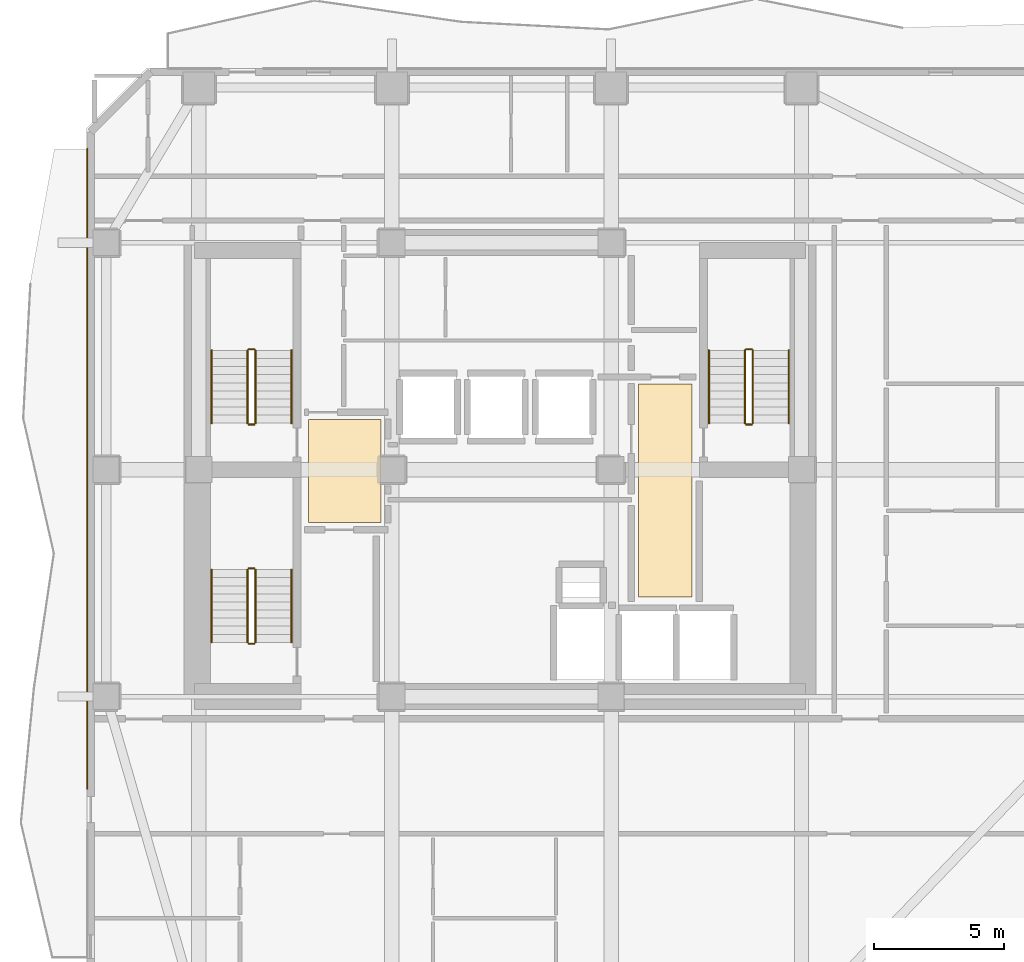
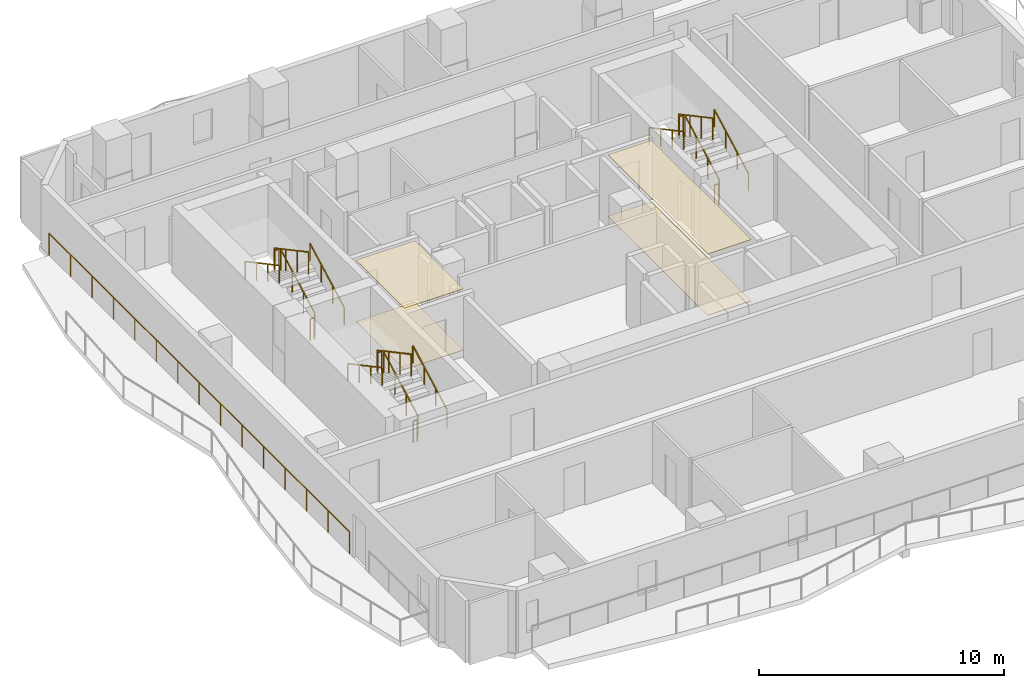
# One storey, part 8 of 9: 19 railings, 4 coverings.
"""IFC4 building model written with IfcOpenShell, lengths in metres."""

import ifcopenshell
import ifcopenshell.guid

model = None  # the IFC model being written
_history = None  # IfcOwnerHistory: only IFC2X3 demands one
_inside = {}  # id of a spatial element -> (the spatial element, [elements in it])
_under = {}  # id of a project, library or spatial element -> (it, [spatial elements below it])
_declared = {}  # id of a project -> (the project, [libraries it declares])
_typed = {}  # id of a type object -> (the type object, [elements of that type])
_made_of = {}  # id of a material, layer set ... -> (it, [elements and type objects made of it])


def new_model(schema):
    """Start an empty IFC model of exactly this schema.

    Asked for "IFC4X3", IfcOpenShell would pick the latest addendum, in which some entities
    have other attributes; the version numbers below select the first issue.
    IFC2X3 requires an IfcOwnerHistory on every rooted entity: one is made here for all.
    """
    global model, _history
    if schema == "IFC4X3":
        model = ifcopenshell.file(schema_version=(4, 3, 0, 0))
    else:
        model = ifcopenshell.file(schema=schema)
    _inside.clear()
    _under.clear()
    _declared.clear()
    _typed.clear()
    _made_of.clear()
    _history = None
    if model.schema == "IFC2X3":
        org = make("IfcOrganization", Name="unknown")
        user = make(
            "IfcPersonAndOrganization",
            ThePerson=make("IfcPerson", FamilyName="unknown"),
            TheOrganization=org,
        )
        app = make(
            "IfcApplication",
            ApplicationDeveloper=org,
            Version="unknown",
            ApplicationFullName="unknown",
            ApplicationIdentifier="unknown",
        )
        _history = make(
            "IfcOwnerHistory",
            OwningUser=user,
            OwningApplication=app,
            ChangeAction="ADDED",
            CreationDate=0,
        )
    return model


def make(cls, **values):
    """One entity of the class cls with the attributes given. An attribute that is None is left unset."""
    return model.create_entity(
        cls, **{name: value for name, value in values.items() if value is not None}
    )


def rooted(cls, **values):
    """An entity with a GlobalId (a new one), such as an element, a storey or a relation."""
    return make(cls, GlobalId=ifcopenshell.guid.new(), OwnerHistory=_history, **values)


def si_unit(unit_type, name, prefix=None):
    """IfcSIUnit, for example si_unit("LENGTHUNIT", "METRE", prefix="MILLI")."""
    return make("IfcSIUnit", UnitType=unit_type, Prefix=prefix, Name=name)


def assignment(units):
    """IfcUnitAssignment: the units of a project."""
    return None if units is None else make("IfcUnitAssignment", Units=units)


def point(xyz):
    """IfcCartesianPoint."""
    return None if xyz is None else make("IfcCartesianPoint", Coordinates=xyz)


def direction(xyz):
    """IfcDirection."""
    return None if xyz is None else make("IfcDirection", DirectionRatios=xyz)


def frame(location, z_axis=None, x_axis=None):
    """IfcAxis2Placement3D, a coordinate frame: its origin and axes. An axis left out is left unset."""
    return make(
        "IfcAxis2Placement3D",
        Location=point(location),
        Axis=direction(z_axis),
        RefDirection=direction(x_axis),
    )


def frame_2d(location, x_axis=None):
    """IfcAxis2Placement2D, a coordinate frame in the plane: its origin and x axis."""
    return make(
        "IfcAxis2Placement2D", Location=point(location), RefDirection=direction(x_axis)
    )


def origin():
    """The frame at (0, 0, 0) with its axes left unset."""
    return frame((0.0, 0.0, 0.0))


def origin_2d():
    """The frame at (0, 0) in the plane with its x axis left unset."""
    return frame_2d((0.0, 0.0))


def place(relative_to, where):
    """IfcLocalPlacement: puts the frame where relative to a parent placement (None: the world)."""
    return make(
        "IfcLocalPlacement", PlacementRelTo=relative_to, RelativePlacement=where
    )


def context(
    kind, dimensions, precision=None, world=None, true_north=None, identifier=None
):
    """IfcGeometricRepresentationContext, for example the 3D "Model" context."""
    return make(
        "IfcGeometricRepresentationContext",
        ContextIdentifier=identifier,
        ContextType=kind,
        CoordinateSpaceDimension=dimensions,
        Precision=precision,
        WorldCoordinateSystem=world,
        TrueNorth=true_north,
    )


def subcontext(parent, identifier, kind, view, scale=None):
    """IfcGeometricRepresentationSubContext, for example "Body" below "Model"."""
    return make(
        "IfcGeometricRepresentationSubContext",
        ContextIdentifier=identifier,
        ContextType=kind,
        ParentContext=parent,
        TargetScale=scale,
        TargetView=view,
    )


def project(units=None, contexts=None):
    """IfcProject with its units and contexts."""
    return rooted(
        "IfcProject",
        Name="project",
        RepresentationContexts=contexts,
        UnitsInContext=assignment(units),
    )


def spatial(cls, under=None, at=None, **own):
    """A site, building, storey or space (cls), placed at a placement, below another one or the project."""
    s = rooted(cls, ObjectPlacement=at, **own)
    if under is not None:
        _under.setdefault(under.id(), (under, []))[1].append(s)
    return s


def polyline(points):
    """IfcPolyline through the points."""
    return make("IfcPolyline", Points=[point(p) for p in points])


def profile(cls, at=None, kind="AREA", **sizes):
    """A parametric profile (cls). Its sizes go by their IFC names, for example OverallWidth=200.0."""
    return make(cls, ProfileType=kind, Position=at, **sizes)


def rectangle(**sizes):
    """IfcRectangleProfileDef."""
    return profile("IfcRectangleProfileDef", **sizes)


def outline(outer, holes=None, kind="AREA"):
    """IfcArbitraryClosedProfileDef: a profile drawn as a closed curve; with holes, ...WithVoids."""
    if holes is None:
        return make("IfcArbitraryClosedProfileDef", ProfileType=kind, OuterCurve=outer)
    return make(
        "IfcArbitraryProfileDefWithVoids",
        ProfileType=kind,
        OuterCurve=outer,
        InnerCurves=holes,
    )


def extrude(swept, where, along, depth):
    """IfcExtrudedAreaSolid: the profile swept, set in the frame where, extruded along a direction by depth."""
    return make(
        "IfcExtrudedAreaSolid",
        SweptArea=swept,
        Position=where,
        ExtrudedDirection=direction(along),
        Depth=depth,
    )


def shape(context_of_items, identifier, shape_type, items):
    """IfcShapeRepresentation: the items that make up one representation, for example the "Body"."""
    return make(
        "IfcShapeRepresentation",
        ContextOfItems=context_of_items,
        RepresentationIdentifier=identifier,
        RepresentationType=shape_type,
        Items=items,
    )


def material(Name=None, Category=None):
    """IfcMaterial."""
    return make("IfcMaterial", Name=Name, Category=Category)


def layer(
    of_material, thickness, ventilated=None, Name=None, Category=None, Priority=None
):
    """IfcMaterialLayer: one layer of a wall or slab, of a material (None: an air gap)."""
    return make(
        "IfcMaterialLayer",
        Material=of_material,
        LayerThickness=thickness,
        IsVentilated=ventilated,
        Name=Name,
        Category=Category,
        Priority=Priority,
    )


def layer_set(layers, Name=None):
    """IfcMaterialLayerSet."""
    return make("IfcMaterialLayerSet", MaterialLayers=layers, LayerSetName=Name)


def made_of(thing, what):
    """Note that an element or type object is made of a material, layer set ...; save() writes the relation."""
    if what is not None:
        _made_of.setdefault(what.id(), (what, []))[1].append(thing)
    return thing


def type_object(cls, material=None, **own):
    """A type object (cls), such as IfcWallType, which elements share."""
    return made_of(rooted(cls, **own), material)


def element(
    cls,
    number,
    at=None,
    inside=None,
    cuts=None,
    type_object=None,
    material=None,
    context=None,
    identifier="Body",
    shape_type=None,
    held_by="IfcProductDefinitionShape",
    body=None,
    shapes=None,
    **own,
):
    """One element of the class cls, such as IfcWall. Its Tag is "e" and its number.

    at: its placement. inside: the storey or other place that contains it. cuts: it is an
    opening in that element (IfcRelVoidsElement). A single representation is given by context,
    identifier, shape_type and body (its items); several are given by shapes. held_by: the class
    of the entity that holds the representations. save() writes the other relations.
    """
    e = rooted(cls, Tag="e%d" % number, ObjectPlacement=at, **own)
    if body is not None:
        shapes = [shape(context, identifier, shape_type, body)]
    if shapes is not None:
        e.Representation = make(held_by, Representations=shapes)
    if inside is not None:
        _inside.setdefault(inside.id(), (inside, []))[1].append(e)
    if cuts is not None:
        rooted(
            "IfcRelVoidsElement", RelatingBuildingElement=cuts, RelatedOpeningElement=e
        )
    if type_object is not None:
        _typed.setdefault(type_object.id(), (type_object, []))[1].append(e)
    return made_of(e, material)


def aggregate(whole, parts):
    """IfcRelAggregates: a whole, such as a stair, and the parts it consists of."""
    return rooted("IfcRelAggregates", RelatingObject=whole, RelatedObjects=parts)


def save(model, path):
    """Write the relations noted so far, then the file.

    IfcRelAggregates (storeys below a building ...), IfcRelContainedInSpatialStructure (elements
    in a storey), IfcRelDefinesByType, IfcRelAssociatesMaterial and IfcRelDeclares: one each for
    every whole, place, type object, material and project.
    """
    for whole, parts in _under.values():
        aggregate(whole, parts)
    for where, things in _inside.values():
        rooted(
            "IfcRelContainedInSpatialStructure",
            RelatedElements=things,
            RelatingStructure=where,
        )
    for kind, things in _typed.values():
        rooted("IfcRelDefinesByType", RelatedObjects=things, RelatingType=kind)
    for what, things in _made_of.values():
        rooted("IfcRelAssociatesMaterial", RelatedObjects=things, RelatingMaterial=what)
    for by, libraries in _declared.values():
        rooted("IfcRelDeclares", RelatingContext=by, RelatedDefinitions=libraries)
    model.write(path)


model = new_model("IFC4")

# Units and contexts
model_context = context("Model", 3, precision=1e-05, world=origin(), true_north=direction((0.0, 1.0)))
body_context = subcontext(model_context, "Body", "Model", "MODEL_VIEW")
ifc_project = project(units=[si_unit("LENGTHUNIT", "METRE"), si_unit("AREAUNIT", "SQUARE_METRE"), si_unit("VOLUMEUNIT", "CUBIC_METRE"), si_unit("PLANEANGLEUNIT", "RADIAN"), si_unit("MASSUNIT", "GRAM", prefix="KILO")], contexts=[model_context])

# Site, building, storey
site_placement = place(None, origin())
site = spatial("IfcSite", under=ifc_project, at=site_placement, CompositionType="ELEMENT")
building_placement = place(site_placement, origin())
building = spatial("IfcBuilding", under=site, at=building_placement, Name="Solanera Arch Residences", CompositionType="ELEMENT")
storey_placement = place(building_placement, frame((0.0, 0.0, 139.280029296875)))
storey = spatial("IfcBuildingStorey", under=building, at=storey_placement, Name="L40", CompositionType="ELEMENT", Elevation=139.280029296875)

# Railing
ifc_material_1 = material(Name="Steel S355 (ASTM A992 / A572 Grade 50)", Category="steel")
railing_type_1 = type_object("IfcRailingType", Name="Balustrade Railing BL-1100", PredefinedType="BALUSTRADE", material=ifc_material_1)
railing_1_placement = place(storey_placement, frame((9.1201171875, 18.472900390625, 0.0)))
element("IfcRailing", 1, at=railing_1_placement, inside=storey, type_object=railing_type_1, Name="L40 W Balcony Balustrade 2", PredefinedType="BALUSTRADE", context=body_context, shape_type="SweptSolid", body=[
    extrude(rectangle(XDim=0.048095703125, YDim=0.048095703125, at=origin_2d()), frame((0.0, 0.0, 1.09619140625), z_axis=(0.0, 1.0, 0.0), x_axis=(-1.0, 0.0, 0.0)), (0.0, 0.0, 1.0), 24.527099609375),
    extrude(rectangle(XDim=0.0419921875, YDim=0.0419921875, at=origin_2d()), origin(), (0.0, 0.0, 1.0), 1.072021484375),
    extrude(rectangle(XDim=0.0419921875, YDim=0.0419921875, at=origin_2d()), frame((0.0, 1.751953125, 0.0)), (0.0, 0.0, 1.0), 1.072021484375),
    extrude(rectangle(XDim=0.0419921875, YDim=0.0419921875, at=origin_2d()), frame((0.0, 3.50390625, 0.0)), (0.0, 0.0, 1.0), 1.072021484375),
    extrude(rectangle(XDim=0.0419921875, YDim=0.0419921875, at=origin_2d()), frame((0.0, 5.255859375, 0.0)), (0.0, 0.0, 1.0), 1.072021484375),
    extrude(rectangle(XDim=0.0419921875, YDim=0.0419921875, at=origin_2d()), frame((0.0, 7.0078125, 0.0)), (0.0, 0.0, 1.0), 1.072021484375),
    extrude(rectangle(XDim=0.0419921875, YDim=0.0419921875, at=origin_2d()), frame((0.0, 8.759765625, 0.0)), (0.0, 0.0, 1.0), 1.072021484375),
    extrude(rectangle(XDim=0.0419921875, YDim=0.0419921875, at=origin_2d()), frame((0.0, 10.51171875, 0.0)), (0.0, 0.0, 1.0), 1.072021484375),
    extrude(rectangle(XDim=0.0419921875, YDim=0.0419921875, at=origin_2d()), frame((0.0, 12.263671875, 0.0)), (0.0, 0.0, 1.0), 1.072021484375),
    extrude(rectangle(XDim=0.0419921875, YDim=0.0419921875, at=origin_2d()), frame((0.0, 14.015380859375, 0.0)), (0.0, 0.0, 1.0), 1.072021484375),
    extrude(rectangle(XDim=0.0419921875, YDim=0.0419921875, at=origin_2d()), frame((0.0, 15.767333984375, 0.0)), (0.0, 0.0, 1.0), 1.072021484375),
    extrude(rectangle(XDim=0.0419921875, YDim=0.0419921875, at=origin_2d()), frame((0.0, 17.519287109375, 0.0)), (0.0, 0.0, 1.0), 1.072021484375),
    extrude(rectangle(XDim=0.0419921875, YDim=0.0419921875, at=origin_2d()), frame((0.0, 19.271240234375, 0.0)), (0.0, 0.0, 1.0), 1.072021484375),
    extrude(rectangle(XDim=0.0419921875, YDim=0.0419921875, at=origin_2d()), frame((0.0, 21.023193359375, 0.0)), (0.0, 0.0, 1.0), 1.072021484375),
    extrude(rectangle(XDim=0.0419921875, YDim=0.0419921875, at=origin_2d()), frame((0.0, 22.775146484375, 0.0)), (0.0, 0.0, 1.0), 1.072021484375),
    extrude(rectangle(XDim=0.0419921875, YDim=0.0419921875, at=origin_2d()), frame((0.0, 24.527099609375, 0.0)), (0.0, 0.0, 1.0), 1.072021484375),
])

# Coverings
ifc_material_2 = material(Name="Porcelain Acoustic Floor Tile", Category="ceramic")
ifc_layer_1 = layer(ifc_material_2, 0.02001953125)
ifc_layer_set_1 = layer_set([ifc_layer_1], Name="Porcelain Acoustic Floor Tile")
covering_type_1 = type_object("IfcCoveringType", Name="Porcelain Acoustic Floor Finish FLR-20", PredefinedType="FLOORING", material=ifc_layer_set_1)
covering_1_placement = place(storey_placement, origin())
element("IfcCovering", 2, at=covering_1_placement, inside=storey, type_object=covering_type_1, Name="L40-FFL-W Porcelain Floor Finish", PredefinedType="FLOORING", context=body_context, shape_type="SweptSolid", body=[
    extrude(outline(polyline([(20.375, 28.675048828125), (17.594970703125, 28.675048828125), (17.594970703125, 32.625), (20.375, 32.625), (20.375, 28.675048828125)])), origin(), (0.0, 0.0, 1.0), 0.02001953125),
])
covering_2_placement = place(storey_placement, origin())
element("IfcCovering", 3, at=covering_2_placement, inside=storey, type_object=covering_type_1, Name="L40-FFL-E Porcelain Floor Finish", PredefinedType="FLOORING", context=body_context, shape_type="SweptSolid", body=[
    extrude(outline(polyline([(32.304931640625, 25.824951171875), (30.25, 25.824951171875), (30.25, 33.97509765625), (32.304931640625, 33.97509765625), (32.304931640625, 25.824951171875)])), origin(), (0.0, 0.0, 1.0), 0.02001953125),
])

# Railings
ifc_material_3 = material(Name="Steel S355 (ASTM A992 / A572 Grade 50)", Category="steel")
railing_type_2 = type_object("IfcRailingType", Name="Stair Guardrail GR-1100", PredefinedType="GUARDRAIL", material=ifc_material_3)
railing_2_placement = place(storey_placement, frame((15.570068359375, 32.47998046875, 0.15087890625)))
element("IfcRailing", 4, at=railing_2_placement, inside=storey, type_object=railing_type_2, Name="L40 ST-T1 stair guard 1", PredefinedType="GUARDRAIL", context=body_context, shape_type="SweptSolid", body=[
    extrude(rectangle(XDim=0.048095703125, YDim=0.048095703125, at=origin_2d()), frame((0.0, 0.0, 1.076171875), z_axis=(0.0, 0.881548766853, 0.472092969298), x_axis=(-1.0, 0.0, 0.0)), (0.0, 0.0, 1.0), 3.1650390625),
    extrude(rectangle(XDim=0.0419921875, YDim=0.0419921875, at=origin_2d()), origin(), (0.0, 0.0, 1.0), 1.052001953125),
    extrude(rectangle(XDim=0.0419921875, YDim=0.0419921875, at=origin_2d()), frame((0.0, 0.929931640625, 0.498046875)), (0.0, 0.0, 1.0), 1.052001953125),
    extrude(rectangle(XDim=0.0419921875, YDim=0.0419921875, at=origin_2d()), frame((0.0, 1.860107421875, 0.99609375)), (0.0, 0.0, 1.0), 1.052001953125),
    extrude(rectangle(XDim=0.0419921875, YDim=0.0419921875, at=origin_2d()), frame((0.0, 2.7900390625, 1.494140625)), (0.0, 0.0, 1.0), 1.052001953125),
])
railing_3_placement = place(storey_placement, frame((15.52001953125, 35.320068359375, 1.64501953125)))
element("IfcRailing", 5, at=railing_3_placement, inside=storey, type_object=railing_type_2, Name="L40 ST-T1 stair guard 2", PredefinedType="GUARDRAIL", context=body_context, shape_type="SweptSolid", body=[
    extrude(rectangle(XDim=0.048095703125, YDim=0.048095703125, at=origin_2d()), frame((0.0, 0.0, 1.076171875), z_axis=(-1.0, 0.0, 0.0), x_axis=(0.0, -1.0, 0.0)), (0.0, 0.0, 1.0), 0.199951171875),
    extrude(rectangle(XDim=0.0419921875, YDim=0.0419921875, at=origin_2d()), origin(), (0.0, 0.0, 1.0), 1.052001953125),
    extrude(rectangle(XDim=0.0419921875, YDim=0.0419921875, at=origin_2d()), frame((-0.199951171875, 0.0, 0.0)), (0.0, 0.0, 1.0), 1.052001953125),
])
railing_4_placement = place(storey_placement, frame((15.27001953125, 35.27001953125, 1.81103515625)))
element("IfcRailing", 6, at=railing_4_placement, inside=storey, type_object=railing_type_2, Name="L40 ST-T1 stair guard 3", PredefinedType="GUARDRAIL", context=body_context, shape_type="SweptSolid", body=[
    extrude(rectangle(XDim=0.048095703125, YDim=0.048095703125, at=origin_2d()), frame((0.0, 0.0, 1.076171875), z_axis=(0.0, -0.881580869306, 0.472033018838), x_axis=(1.0, 0.0, 0.0)), (0.0, 0.0, 1.0), 3.164794921875),
    extrude(rectangle(XDim=0.0419921875, YDim=0.0419921875, at=origin_2d()), origin(), (0.0, 0.0, 1.0), 1.052001953125),
    extrude(rectangle(XDim=0.0419921875, YDim=0.0419921875, at=origin_2d()), frame((0.0, -0.929931640625, 0.498046875)), (0.0, 0.0, 1.0), 1.052001953125),
    extrude(rectangle(XDim=0.0419921875, YDim=0.0419921875, at=origin_2d()), frame((0.0, -1.860107421875, 0.995849609375)), (0.0, 0.0, 1.0), 1.052001953125),
    extrude(rectangle(XDim=0.0419921875, YDim=0.0419921875, at=origin_2d()), frame((0.0, -2.7900390625, 1.493896484375)), (0.0, 0.0, 1.0), 1.052001953125),
])
railing_5_placement = place(storey_placement, frame((15.52001953125, 32.429931640625, -0.01513671875)))
element("IfcRailing", 7, at=railing_5_placement, inside=storey, type_object=railing_type_2, Name="L40 ST-T1 stair guard 4", PredefinedType="GUARDRAIL", context=body_context, shape_type="SweptSolid", body=[
    extrude(rectangle(XDim=0.048095703125, YDim=0.048095703125, at=origin_2d()), frame((0.0, 0.0, 1.076171875), z_axis=(-1.0, 0.0, 0.0), x_axis=(0.0, -1.0, 0.0)), (0.0, 0.0, 1.0), 0.199951171875),
    extrude(rectangle(XDim=0.0419921875, YDim=0.0419921875, at=origin_2d()), origin(), (0.0, 0.0, 1.0), 1.052001953125),
    extrude(rectangle(XDim=0.0419921875, YDim=0.0419921875, at=origin_2d()), frame((-0.199951171875, 0.0, 0.0)), (0.0, 0.0, 1.0), 1.052001953125),
])
railing_6_placement = place(storey_placement, frame((34.6298828125, 32.47998046875, 0.15087890625)))
element("IfcRailing", 8, at=railing_6_placement, inside=storey, type_object=railing_type_2, Name="L40 ST-T2 stair guard 1", PredefinedType="GUARDRAIL", context=body_context, shape_type="SweptSolid", body=[
    extrude(rectangle(XDim=0.048095703125, YDim=0.048095703125, at=origin_2d()), frame((0.0, 0.0, 1.076171875), z_axis=(0.0, 0.881548766853, 0.472092969298), x_axis=(-1.0, 0.0, 0.0)), (0.0, 0.0, 1.0), 3.1650390625),
    extrude(rectangle(XDim=0.0419921875, YDim=0.0419921875, at=origin_2d()), origin(), (0.0, 0.0, 1.0), 1.052001953125),
    extrude(rectangle(XDim=0.0419921875, YDim=0.0419921875, at=origin_2d()), frame((0.0, 0.929931640625, 0.498046875)), (0.0, 0.0, 1.0), 1.052001953125),
    extrude(rectangle(XDim=0.0419921875, YDim=0.0419921875, at=origin_2d()), frame((0.0, 1.860107421875, 0.99609375)), (0.0, 0.0, 1.0), 1.052001953125),
    extrude(rectangle(XDim=0.0419921875, YDim=0.0419921875, at=origin_2d()), frame((0.0, 2.7900390625, 1.494140625)), (0.0, 0.0, 1.0), 1.052001953125),
])
railing_7_placement = place(storey_placement, frame((34.580078125, 35.320068359375, 1.64501953125)))
element("IfcRailing", 9, at=railing_7_placement, inside=storey, type_object=railing_type_2, Name="L40 ST-T2 stair guard 2", PredefinedType="GUARDRAIL", context=body_context, shape_type="SweptSolid", body=[
    extrude(rectangle(XDim=0.048095703125, YDim=0.048095703125, at=origin_2d()), frame((0.0, 0.0, 1.076171875), z_axis=(-1.0, 0.0, 0.0), x_axis=(0.0, -1.0, 0.0)), (0.0, 0.0, 1.0), 0.2001953125),
    extrude(rectangle(XDim=0.0419921875, YDim=0.0419921875, at=origin_2d()), origin(), (0.0, 0.0, 1.0), 1.052001953125),
    extrude(rectangle(XDim=0.0419921875, YDim=0.0419921875, at=origin_2d()), frame((-0.2001953125, 0.0, 0.0)), (0.0, 0.0, 1.0), 1.052001953125),
])
railing_8_placement = place(storey_placement, frame((34.330078125, 35.27001953125, 1.81103515625)))
element("IfcRailing", 10, at=railing_8_placement, inside=storey, type_object=railing_type_2, Name="L40 ST-T2 stair guard 3", PredefinedType="GUARDRAIL", context=body_context, shape_type="SweptSolid", body=[
    extrude(rectangle(XDim=0.048095703125, YDim=0.048095703125, at=origin_2d()), frame((0.0, 0.0, 1.076171875), z_axis=(0.0, -0.881580869306, 0.472033018838), x_axis=(1.0, 0.0, 0.0)), (0.0, 0.0, 1.0), 3.164794921875),
    extrude(rectangle(XDim=0.0419921875, YDim=0.0419921875, at=origin_2d()), origin(), (0.0, 0.0, 1.0), 1.052001953125),
    extrude(rectangle(XDim=0.0419921875, YDim=0.0419921875, at=origin_2d()), frame((0.0, -0.929931640625, 0.498046875)), (0.0, 0.0, 1.0), 1.052001953125),
    extrude(rectangle(XDim=0.0419921875, YDim=0.0419921875, at=origin_2d()), frame((0.0, -1.860107421875, 0.995849609375)), (0.0, 0.0, 1.0), 1.052001953125),
    extrude(rectangle(XDim=0.0419921875, YDim=0.0419921875, at=origin_2d()), frame((0.0, -2.7900390625, 1.493896484375)), (0.0, 0.0, 1.0), 1.052001953125),
])
railing_9_placement = place(storey_placement, frame((34.580078125, 32.429931640625, -0.01513671875)))
element("IfcRailing", 11, at=railing_9_placement, inside=storey, type_object=railing_type_2, Name="L40 ST-T2 stair guard 4", PredefinedType="GUARDRAIL", context=body_context, shape_type="SweptSolid", body=[
    extrude(rectangle(XDim=0.048095703125, YDim=0.048095703125, at=origin_2d()), frame((0.0, 0.0, 1.076171875), z_axis=(-1.0, 0.0, 0.0), x_axis=(0.0, -1.0, 0.0)), (0.0, 0.0, 1.0), 0.2001953125),
    extrude(rectangle(XDim=0.0419921875, YDim=0.0419921875, at=origin_2d()), origin(), (0.0, 0.0, 1.0), 1.052001953125),
    extrude(rectangle(XDim=0.0419921875, YDim=0.0419921875, at=origin_2d()), frame((-0.2001953125, 0.0, 0.0)), (0.0, 0.0, 1.0), 1.052001953125),
])
railing_10_placement = place(storey_placement, frame((15.570068359375, 24.080078125, 0.15087890625)))
element("IfcRailing", 12, at=railing_10_placement, inside=storey, type_object=railing_type_2, Name="L40 ST-T3 stair guard 1", PredefinedType="GUARDRAIL", context=body_context, shape_type="SweptSolid", body=[
    extrude(rectangle(XDim=0.048095703125, YDim=0.048095703125, at=origin_2d()), frame((0.0, 0.0, 1.076171875), z_axis=(0.0, 0.881548766853, 0.472092969298), x_axis=(-1.0, 0.0, 0.0)), (0.0, 0.0, 1.0), 3.1650390625),
    extrude(rectangle(XDim=0.0419921875, YDim=0.0419921875, at=origin_2d()), origin(), (0.0, 0.0, 1.0), 1.052001953125),
    extrude(rectangle(XDim=0.0419921875, YDim=0.0419921875, at=origin_2d()), frame((0.0, 0.929931640625, 0.498046875)), (0.0, 0.0, 1.0), 1.052001953125),
    extrude(rectangle(XDim=0.0419921875, YDim=0.0419921875, at=origin_2d()), frame((0.0, 1.860107421875, 0.99609375)), (0.0, 0.0, 1.0), 1.052001953125),
    extrude(rectangle(XDim=0.0419921875, YDim=0.0419921875, at=origin_2d()), frame((0.0, 2.7900390625, 1.494140625)), (0.0, 0.0, 1.0), 1.052001953125),
])
railing_11_placement = place(storey_placement, frame((15.52001953125, 26.919921875, 1.64501953125)))
element("IfcRailing", 13, at=railing_11_placement, inside=storey, type_object=railing_type_2, Name="L40 ST-T3 stair guard 2", PredefinedType="GUARDRAIL", context=body_context, shape_type="SweptSolid", body=[
    extrude(rectangle(XDim=0.048095703125, YDim=0.048095703125, at=origin_2d()), frame((0.0, 0.0, 1.076171875), z_axis=(-1.0, 0.0, 0.0), x_axis=(0.0, -1.0, 0.0)), (0.0, 0.0, 1.0), 0.199951171875),
    extrude(rectangle(XDim=0.0419921875, YDim=0.0419921875, at=origin_2d()), origin(), (0.0, 0.0, 1.0), 1.052001953125),
    extrude(rectangle(XDim=0.0419921875, YDim=0.0419921875, at=origin_2d()), frame((-0.199951171875, 0.0, 0.0)), (0.0, 0.0, 1.0), 1.052001953125),
])
railing_12_placement = place(storey_placement, frame((15.27001953125, 26.8701171875, 1.81103515625)))
element("IfcRailing", 14, at=railing_12_placement, inside=storey, type_object=railing_type_2, Name="L40 ST-T3 stair guard 3", PredefinedType="GUARDRAIL", context=body_context, shape_type="SweptSolid", body=[
    extrude(rectangle(XDim=0.048095703125, YDim=0.048095703125, at=origin_2d()), frame((0.0, 0.0, 1.076171875), z_axis=(0.0, -0.881580869306, 0.472033018838), x_axis=(1.0, 0.0, 0.0)), (0.0, 0.0, 1.0), 3.164794921875),
    extrude(rectangle(XDim=0.0419921875, YDim=0.0419921875, at=origin_2d()), origin(), (0.0, 0.0, 1.0), 1.052001953125),
    extrude(rectangle(XDim=0.0419921875, YDim=0.0419921875, at=origin_2d()), frame((0.0, -0.929931640625, 0.498046875)), (0.0, 0.0, 1.0), 1.052001953125),
    extrude(rectangle(XDim=0.0419921875, YDim=0.0419921875, at=origin_2d()), frame((0.0, -1.860107421875, 0.995849609375)), (0.0, 0.0, 1.0), 1.052001953125),
    extrude(rectangle(XDim=0.0419921875, YDim=0.0419921875, at=origin_2d()), frame((0.0, -2.7900390625, 1.493896484375)), (0.0, 0.0, 1.0), 1.052001953125),
])
railing_13_placement = place(storey_placement, frame((15.52001953125, 24.030029296875, -0.01513671875)))
element("IfcRailing", 15, at=railing_13_placement, inside=storey, type_object=railing_type_2, Name="L40 ST-T3 stair guard 4", PredefinedType="GUARDRAIL", context=body_context, shape_type="SweptSolid", body=[
    extrude(rectangle(XDim=0.048095703125, YDim=0.048095703125, at=origin_2d()), frame((0.0, 0.0, 1.076171875), z_axis=(-1.0, 0.0, 0.0), x_axis=(0.0, -1.0, 0.0)), (0.0, 0.0, 1.0), 0.199951171875),
    extrude(rectangle(XDim=0.0419921875, YDim=0.0419921875, at=origin_2d()), origin(), (0.0, 0.0, 1.0), 1.052001953125),
    extrude(rectangle(XDim=0.0419921875, YDim=0.0419921875, at=origin_2d()), frame((-0.199951171875, 0.0, 0.0)), (0.0, 0.0, 1.0), 1.052001953125),
])
ifc_material_4 = material(Name="Steel S355 (ASTM A992 / A572 Grade 50)", Category="steel")
railing_type_3 = type_object("IfcRailingType", Name="Stair Wall Handrail HR-920", PredefinedType="HANDRAIL", material=ifc_material_4)
railing_14_placement = place(storey_placement, frame((16.949951171875, 32.47998046875, 0.166015625)))
element("IfcRailing", 16, at=railing_14_placement, inside=storey, type_object=railing_type_3, Name="L40 ST-T1 stair handrail 1", PredefinedType="HANDRAIL", context=body_context, shape_type="SweptSolid", body=[
    extrude(rectangle(XDim=0.048095703125, YDim=0.048095703125, at=origin_2d()), frame((0.0, 0.0, 0.8759765625), z_axis=(0.0, 0.881580869306, 0.472033018838), x_axis=(-1.0, 0.0, 0.0)), (0.0, 0.0, 1.0), 3.164794921875),
    extrude(rectangle(XDim=0.0419921875, YDim=0.0419921875, at=origin_2d()), origin(), (0.0, 0.0, 1.0), 0.851806640625),
    extrude(rectangle(XDim=0.0419921875, YDim=0.0419921875, at=origin_2d()), frame((0.0, 0.929931640625, 0.498046875)), (0.0, 0.0, 1.0), 0.851806640625),
    extrude(rectangle(XDim=0.0419921875, YDim=0.0419921875, at=origin_2d()), frame((0.0, 1.860107421875, 0.995849609375)), (0.0, 0.0, 1.0), 0.851806640625),
    extrude(rectangle(XDim=0.0419921875, YDim=0.0419921875, at=origin_2d()), frame((0.0, 2.7900390625, 1.493896484375)), (0.0, 0.0, 1.0), 0.851806640625),
])
railing_15_placement = place(storey_placement, frame((13.889892578125, 35.27001953125, 1.825927734375)))
element("IfcRailing", 17, at=railing_15_placement, inside=storey, type_object=railing_type_3, Name="L40 ST-T1 stair handrail 2", PredefinedType="HANDRAIL", context=body_context, shape_type="SweptSolid", body=[
    extrude(rectangle(XDim=0.048095703125, YDim=0.048095703125, at=origin_2d()), frame((0.0, 0.0, 0.8759765625), z_axis=(0.0, -0.881548766853, 0.472092969298), x_axis=(1.0, 0.0, 0.0)), (0.0, 0.0, 1.0), 3.1650390625),
    extrude(rectangle(XDim=0.0419921875, YDim=0.0419921875, at=origin_2d()), origin(), (0.0, 0.0, 1.0), 0.851806640625),
    extrude(rectangle(XDim=0.0419921875, YDim=0.0419921875, at=origin_2d()), frame((0.0, -0.929931640625, 0.498046875)), (0.0, 0.0, 1.0), 0.851806640625),
    extrude(rectangle(XDim=0.0419921875, YDim=0.0419921875, at=origin_2d()), frame((0.0, -1.860107421875, 0.99609375)), (0.0, 0.0, 1.0), 0.851806640625),
    extrude(rectangle(XDim=0.0419921875, YDim=0.0419921875, at=origin_2d()), frame((0.0, -2.7900390625, 1.494140625)), (0.0, 0.0, 1.0), 0.851806640625),
])
railing_16_placement = place(storey_placement, frame((36.010009765625, 32.47998046875, 0.166015625)))
element("IfcRailing", 18, at=railing_16_placement, inside=storey, type_object=railing_type_3, Name="L40 ST-T2 stair handrail 1", PredefinedType="HANDRAIL", context=body_context, shape_type="SweptSolid", body=[
    extrude(rectangle(XDim=0.048095703125, YDim=0.048095703125, at=origin_2d()), frame((0.0, 0.0, 0.8759765625), z_axis=(0.0, 0.881580869306, 0.472033018838), x_axis=(-1.0, 0.0, 0.0)), (0.0, 0.0, 1.0), 3.164794921875),
    extrude(rectangle(XDim=0.0419921875, YDim=0.0419921875, at=origin_2d()), origin(), (0.0, 0.0, 1.0), 0.851806640625),
    extrude(rectangle(XDim=0.0419921875, YDim=0.0419921875, at=origin_2d()), frame((0.0, 0.929931640625, 0.498046875)), (0.0, 0.0, 1.0), 0.851806640625),
    extrude(rectangle(XDim=0.0419921875, YDim=0.0419921875, at=origin_2d()), frame((0.0, 1.860107421875, 0.995849609375)), (0.0, 0.0, 1.0), 0.851806640625),
    extrude(rectangle(XDim=0.0419921875, YDim=0.0419921875, at=origin_2d()), frame((0.0, 2.7900390625, 1.493896484375)), (0.0, 0.0, 1.0), 0.851806640625),
])
railing_17_placement = place(storey_placement, frame((32.949951171875, 35.27001953125, 1.825927734375)))
element("IfcRailing", 19, at=railing_17_placement, inside=storey, type_object=railing_type_3, Name="L40 ST-T2 stair handrail 2", PredefinedType="HANDRAIL", context=body_context, shape_type="SweptSolid", body=[
    extrude(rectangle(XDim=0.048095703125, YDim=0.048095703125, at=origin_2d()), frame((0.0, 0.0, 0.8759765625), z_axis=(0.0, -0.881548766853, 0.472092969298), x_axis=(1.0, 0.0, 0.0)), (0.0, 0.0, 1.0), 3.1650390625),
    extrude(rectangle(XDim=0.0419921875, YDim=0.0419921875, at=origin_2d()), origin(), (0.0, 0.0, 1.0), 0.851806640625),
    extrude(rectangle(XDim=0.0419921875, YDim=0.0419921875, at=origin_2d()), frame((0.0, -0.929931640625, 0.498046875)), (0.0, 0.0, 1.0), 0.851806640625),
    extrude(rectangle(XDim=0.0419921875, YDim=0.0419921875, at=origin_2d()), frame((0.0, -1.860107421875, 0.99609375)), (0.0, 0.0, 1.0), 0.851806640625),
    extrude(rectangle(XDim=0.0419921875, YDim=0.0419921875, at=origin_2d()), frame((0.0, -2.7900390625, 1.494140625)), (0.0, 0.0, 1.0), 0.851806640625),
])
railing_18_placement = place(storey_placement, frame((16.949951171875, 24.080078125, 0.166015625)))
element("IfcRailing", 20, at=railing_18_placement, inside=storey, type_object=railing_type_3, Name="L40 ST-T3 stair handrail 1", PredefinedType="HANDRAIL", context=body_context, shape_type="SweptSolid", body=[
    extrude(rectangle(XDim=0.048095703125, YDim=0.048095703125, at=origin_2d()), frame((0.0, 0.0, 0.8759765625), z_axis=(0.0, 0.881580869306, 0.472033018838), x_axis=(-1.0, 0.0, 0.0)), (0.0, 0.0, 1.0), 3.164794921875),
    extrude(rectangle(XDim=0.0419921875, YDim=0.0419921875, at=origin_2d()), origin(), (0.0, 0.0, 1.0), 0.851806640625),
    extrude(rectangle(XDim=0.0419921875, YDim=0.0419921875, at=origin_2d()), frame((0.0, 0.929931640625, 0.498046875)), (0.0, 0.0, 1.0), 0.851806640625),
    extrude(rectangle(XDim=0.0419921875, YDim=0.0419921875, at=origin_2d()), frame((0.0, 1.860107421875, 0.995849609375)), (0.0, 0.0, 1.0), 0.851806640625),
    extrude(rectangle(XDim=0.0419921875, YDim=0.0419921875, at=origin_2d()), frame((0.0, 2.7900390625, 1.493896484375)), (0.0, 0.0, 1.0), 0.851806640625),
])
railing_19_placement = place(storey_placement, frame((13.889892578125, 26.8701171875, 1.825927734375)))
element("IfcRailing", 21, at=railing_19_placement, inside=storey, type_object=railing_type_3, Name="L40 ST-T3 stair handrail 2", PredefinedType="HANDRAIL", context=body_context, shape_type="SweptSolid", body=[
    extrude(rectangle(XDim=0.048095703125, YDim=0.048095703125, at=origin_2d()), frame((0.0, 0.0, 0.8759765625), z_axis=(0.0, -0.881548766853, 0.472092969298), x_axis=(1.0, 0.0, 0.0)), (0.0, 0.0, 1.0), 3.1650390625),
    extrude(rectangle(XDim=0.0419921875, YDim=0.0419921875, at=origin_2d()), origin(), (0.0, 0.0, 1.0), 0.851806640625),
    extrude(rectangle(XDim=0.0419921875, YDim=0.0419921875, at=origin_2d()), frame((0.0, -0.929931640625, 0.498046875)), (0.0, 0.0, 1.0), 0.851806640625),
    extrude(rectangle(XDim=0.0419921875, YDim=0.0419921875, at=origin_2d()), frame((0.0, -1.860107421875, 0.99609375)), (0.0, 0.0, 1.0), 0.851806640625),
    extrude(rectangle(XDim=0.0419921875, YDim=0.0419921875, at=origin_2d()), frame((0.0, -2.7900390625, 1.494140625)), (0.0, 0.0, 1.0), 0.851806640625),
])

# Coverings
ifc_material_5 = material(Name="Mineral Fibre Acoustic Ceiling Board", Category="gypsum")
ifc_layer_2 = layer(ifc_material_5, 0.02490234375)
ifc_layer_set_2 = layer_set([ifc_layer_2], Name="Mineral Fibre Acoustic Ceiling Board")
covering_type_2 = type_object("IfcCoveringType", Name="Suspended Acoustic Ceiling Board CLG-25", PredefinedType="CEILING", material=ifc_layer_set_2)
covering_3_placement = place(storey_placement, frame((0.0, 0.0, 3.054931640625)))
element("IfcCovering", 22, at=covering_3_placement, inside=storey, type_object=covering_type_2, Name="L40-FFL-W Acoustic Ceiling", PredefinedType="CEILING", context=body_context, shape_type="SweptSolid", body=[
    extrude(outline(polyline([(20.375, 28.675048828125), (17.594970703125, 28.675048828125), (17.594970703125, 32.625), (20.375, 32.625), (20.375, 28.675048828125)])), origin(), (0.0, 0.0, 1.0), 0.025146484375),
])
covering_4_placement = place(storey_placement, frame((0.0, 0.0, 3.054931640625)))
element("IfcCovering", 23, at=covering_4_placement, inside=storey, type_object=covering_type_2, Name="L40-FFL-E Acoustic Ceiling", PredefinedType="CEILING", context=body_context, shape_type="SweptSolid", body=[
    extrude(outline(polyline([(32.304931640625, 25.824951171875), (30.25, 25.824951171875), (30.25, 33.97509765625), (32.304931640625, 33.97509765625), (32.304931640625, 25.824951171875)])), origin(), (0.0, 0.0, 1.0), 0.025146484375),
])

save(model, "model.ifc")
